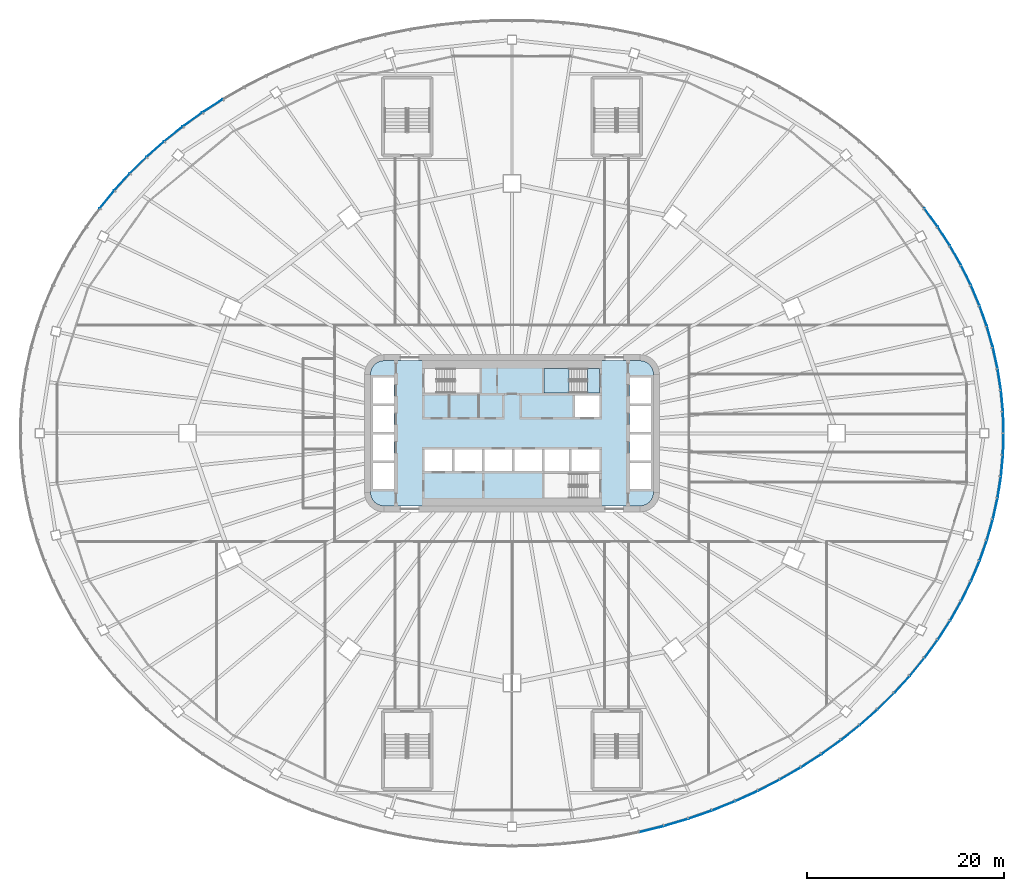
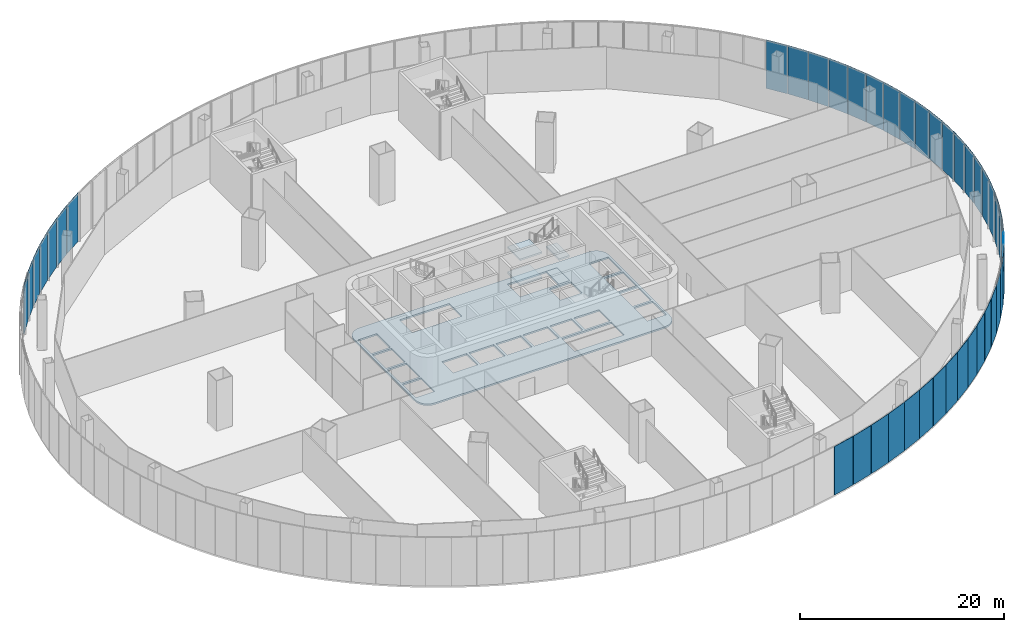
# One storey, part 18 of 37: 43 plates, 5 slabs, 11 elements without a shape of their own.
"""IFC4 building model written with IfcOpenShell, lengths in metres."""

from ifc_helpers import new_model, si_unit, direction, frame, origin, place, context, subcontext, project, spatial, polyline, outline, extrude, material, layer, layer_set, type_object, element, aggregate, save


model = new_model("IFC4")

# Units and contexts
model_context = context("Model", 3, precision=1e-05, world=origin(), true_north=direction((0.0, 1.0)))
body_context = subcontext(model_context, "Body", "Model", "MODEL_VIEW")
ifc_project = project(units=[si_unit("LENGTHUNIT", "METRE"), si_unit("AREAUNIT", "SQUARE_METRE"), si_unit("VOLUMEUNIT", "CUBIC_METRE"), si_unit("PLANEANGLEUNIT", "RADIAN"), si_unit("MASSUNIT", "GRAM", prefix="KILO")], contexts=[model_context])

# Site, building, storey
site_placement = place(None, origin())
site = spatial("IfcSite", under=ifc_project, at=site_placement, CompositionType="ELEMENT")
building_placement = place(site_placement, origin())
building = spatial("IfcBuilding", under=site, at=building_placement, Name="Sahrelin Media Tower", CompositionType="ELEMENT")
storey_placement = place(building_placement, frame((0.0, 0.0, 31.39990234375)))
storey = spatial("IfcBuildingStorey", under=building, at=storey_placement, Name="L04", CompositionType="ELEMENT", Elevation=31.39990234375)

# Slab
ifc_material_1 = material(Name="Concrete C40/50", Category="concrete")
ifc_layer_1 = layer(ifc_material_1, 0.199951171875)
ifc_layer_set_1 = layer_set([ifc_layer_1], Name="Core floor slab 200")
slab_type_1 = type_object("IfcSlabType", Name="Core floor slab 200", PredefinedType="FLOOR", material=ifc_layer_set_1)
placement = place(storey_placement, frame((0.0, 0.0, -0.199951171875)))
element("IfcSlab", 1, at=placement, inside=storey, type_object=slab_type_1, Name="Core floor", PredefinedType="FLOOR", context=body_context, shape_type="SweptSolid", body=[
    extrude(outline(polyline([(-13.986328125, 6.986328125), (-14.2080078125, 6.697509765625), (-14.347412109375, 6.361083984375), (-14.39990234375, 5.960693359375), (-14.39990234375, -5.960693359375), (-14.347412109375, -6.361083984375), (-14.2080078125, -6.697509765625), (-13.986328125, -6.986328125), (-13.697509765625, -7.2080078125), (-13.361083984375, -7.347412109375), (-12.960693359375, -7.39990234375), (12.960693359375, -7.39990234375), (13.361083984375, -7.347412109375), (13.697509765625, -7.2080078125), (13.986328125, -6.986328125), (14.2080078125, -6.697509765625), (14.347412109375, -6.361083984375), (14.39990234375, -5.960693359375), (14.39990234375, 5.960693359375), (14.347412109375, 6.361083984375), (14.2080078125, 6.697509765625), (13.986328125, 6.986328125), (13.697509765625, 7.2080078125), (13.361083984375, 7.347412109375), (12.960693359375, 7.39990234375), (-12.960693359375, 7.39990234375), (-13.361083984375, 7.347412109375), (-13.697509765625, 7.2080078125), (-13.986328125, 6.986328125)]), holes=[polyline([(-14.14990234375, 5.675048828125), (-14.14990234375, 3.02490234375), (-12.0, 3.02490234375), (-12.0, 5.675048828125), (-14.14990234375, 5.675048828125)]), polyline([(-12.0, 2.77490234375), (-14.14990234375, 2.77490234375), (-14.14990234375, 0.125), (-12.0, 0.125), (-12.0, 2.77490234375)]), polyline([(-12.0, -2.77490234375), (-12.0, -0.125), (-14.14990234375, -0.125), (-14.14990234375, -2.77490234375), (-12.0, -2.77490234375)]), polyline([(-14.14990234375, -5.675048828125), (-12.0, -5.675048828125), (-12.0, -3.02490234375), (-14.14990234375, -3.02490234375), (-14.14990234375, -5.675048828125)]), polyline([(12.0, 5.675048828125), (12.0, 3.02490234375), (14.14990234375, 3.02490234375), (14.14990234375, 5.675048828125), (12.0, 5.675048828125)]), polyline([(14.14990234375, 2.77490234375), (12.0, 2.77490234375), (12.0, 0.125), (14.14990234375, 0.125), (14.14990234375, 2.77490234375)]), polyline([(14.14990234375, -2.77490234375), (14.14990234375, -0.125), (12.0, -0.125), (12.0, -2.77490234375), (14.14990234375, -2.77490234375)]), polyline([(12.0, -5.675048828125), (14.14990234375, -5.675048828125), (14.14990234375, -3.02490234375), (12.0, -3.02490234375), (12.0, -5.675048828125)]), polyline([(6.425048828125, 3.85009765625), (6.425048828125, 1.64990234375), (8.875, 1.64990234375), (8.875, 3.85009765625), (6.425048828125, 3.85009765625)]), polyline([(-6.074951171875, -1.64990234375), (-8.875, -1.64990234375), (-8.875, -3.85009765625), (-6.074951171875, -3.85009765625), (-6.074951171875, -1.64990234375)]), polyline([(-3.02490234375, -3.85009765625), (-3.02490234375, -1.64990234375), (-5.824951171875, -1.64990234375), (-5.824951171875, -3.85009765625), (-3.02490234375, -3.85009765625)]), polyline([(-2.77490234375, -3.85009765625), (0.02490234375, -3.85009765625), (0.02490234375, -1.64990234375), (-2.77490234375, -1.64990234375), (-2.77490234375, -3.85009765625)]), polyline([(0.27490234375, -1.64990234375), (0.27490234375, -3.85009765625), (3.074951171875, -3.85009765625), (3.074951171875, -1.64990234375), (0.27490234375, -1.64990234375)]), polyline([(5.77490234375, -1.64990234375), (3.324951171875, -1.64990234375), (3.324951171875, -3.85009765625), (5.77490234375, -3.85009765625), (5.77490234375, -1.64990234375)]), polyline([(8.875, -3.85009765625), (8.875, -1.64990234375), (6.02490234375, -1.64990234375), (6.02490234375, -3.85009765625), (8.875, -3.85009765625)]), polyline([(-8.875, 6.60009765625), (-8.875, 4.10009765625), (-3.27490234375, 4.10009765625), (-3.27490234375, 6.60009765625), (-8.875, 6.60009765625)]), polyline([(3.27490234375, 4.10009765625), (8.875, 4.10009765625), (8.875, 6.60009765625), (3.27490234375, 6.60009765625), (3.27490234375, 4.10009765625)]), polyline([(3.27490234375, -4.10009765625), (3.27490234375, -6.60009765625), (8.875, -6.60009765625), (8.875, -4.10009765625), (3.27490234375, -4.10009765625)])]), origin(), (0.0, 0.0, 1.0), 0.199951171875),
])

# Curtain wall, plates
ifc_material_2 = material(Name="Champagne anodised aluminium 6063-T6", Category="aluminium")
ifc_layer_2 = layer(ifc_material_2, 0.14990234375)
ifc_layer_set_2 = layer_set([ifc_layer_2], Name="Podium ribbon curtain wall")
curtain_wall_type = type_object("IfcCurtainWallType", Name="Podium ribbon curtain wall", PredefinedType="NOTDEFINED", material=ifc_layer_set_2)
curtain_wall_1_placement = place(storey_placement, frame((50.0, 0.0, 0.0), z_axis=(0.0, 0.0, 1.0), x_axis=(1.0, 0.0, 0.0)))
curtain_wall_1 = element("IfcCurtainWall", 2, at=curtain_wall_1_placement, inside=storey, type_object=curtain_wall_type, Name="L04:CW:L04-P00", PredefinedType="NOTDEFINED")
ifc_material_3 = material(Name="Clear low-iron glazing", Category="glass")
ifc_layer_3 = layer(ifc_material_3, 0.050048828125)
ifc_layer_set_3 = layer_set([ifc_layer_3], Name="Glazing panel 50 mm CW5")
plate_type = type_object("IfcPlateType", Name="Glazing panel 50 mm CW5", PredefinedType="CURTAIN_PANEL", material=ifc_layer_set_3)
plate_1_placement = place(storey_placement, frame((50.018310546875, 0.050537109375, 0.0), z_axis=(0.999515505573, 0.031124815153, 0.0), x_axis=(-0.031124815153, 0.999515505573, 0.0)))
plate_1 = element("IfcPlate", 3, at=plate_1_placement, type_object=plate_type, Name="L04:CWP1a:L04-P00", PredefinedType="CURTAIN_PANEL", context=body_context, shape_type="SweptSolid", body=[
    extrude(outline(polyline([(0.0, 0.0), (2.149169921875, 0.0), (2.149169921875, 5.800048828125), (0.0, 5.800048828125), (0.0, 0.0)])), origin(), (0.0, 0.0, -1.0), 0.050048828125),
])
plate_2_placement = place(storey_placement, frame((49.94677734375, 2.249755859375, 0.0), z_axis=(0.995641143161, 0.093266896829, 0.0), x_axis=(-0.093266896829, 0.995641143161, 0.0)))
plate_2 = element("IfcPlate", 4, at=plate_2_placement, type_object=plate_type, Name="L04:CWP2a:L04-P00", PredefinedType="CURTAIN_PANEL", context=body_context, shape_type="SweptSolid", body=[
    extrude(outline(polyline([(0.0, 0.0), (2.151611328125, 0.0), (2.151611328125, 5.800048828125), (0.0, 5.800048828125), (0.0, 0.0)])), origin(), (0.0, 0.0, -1.0), 0.050048828125),
])
plate_3_placement = place(storey_placement, frame((49.738037109375, 4.442626953125, 0.0), z_axis=(0.987953146465, 0.154753288784, 0.0), x_axis=(-0.154753288784, 0.987953146465, 0.0)))
plate_3 = element("IfcPlate", 5, at=plate_3_placement, type_object=plate_type, Name="L04:CWP3a:L04-P00", PredefinedType="CURTAIN_PANEL", context=body_context, shape_type="SweptSolid", body=[
    extrude(outline(polyline([(0.0, 0.0), (2.156494140625, 0.0), (2.156494140625, 5.800048828125), (0.0, 5.800048828125), (0.0, 0.0)])), origin(), (0.0, 0.0, -1.0), 0.050048828125),
])
plate_4_placement = place(storey_placement, frame((49.393310546875, 6.623291015625, 0.0), z_axis=(0.976509812281, 0.21547293686, 0.0), x_axis=(-0.21547293686, 0.976509812281, 0.0)))
plate_4 = element("IfcPlate", 6, at=plate_4_placement, type_object=plate_type, Name="L04:CWP4a:L04-P00", PredefinedType="CURTAIN_PANEL", context=body_context, shape_type="SweptSolid", body=[
    extrude(outline(polyline([(0.0, 0.0), (2.1640625, 0.0), (2.1640625, 5.800048828125), (0.0, 5.800048828125), (0.0, 0.0)])), origin(), (0.0, 0.0, -1.0), 0.050048828125),
])
plate_5_placement = place(storey_placement, frame((48.912841796875, 8.785888671875, 0.0), z_axis=(0.961494274984, 0.274824960972, 0.0), x_axis=(-0.274824960972, 0.961494274984, 0.0)))
plate_5 = element("IfcPlate", 7, at=plate_5_placement, type_object=plate_type, Name="L04:CWP5a:L04-P00", PredefinedType="CURTAIN_PANEL", context=body_context, shape_type="SweptSolid", body=[
    extrude(outline(polyline([(0.0, 0.0), (2.173828125, 0.0), (2.173828125, 5.800048828125), (0.0, 5.800048828125), (0.0, 0.0)])), origin(), (0.0, 0.0, -1.0), 0.050048828125),
])
aggregate(curtain_wall_1, [plate_1, plate_2, plate_3, plate_4, plate_5])

curtain_wall_2_placement = place(storey_placement, frame((48.29638671875, 10.870361328125, 0.0), z_axis=(0.0, 0.0, 1.0), x_axis=(1.0, 0.0, 0.0)))
curtain_wall_2 = element("IfcCurtainWall", 8, at=curtain_wall_2_placement, inside=storey, type_object=curtain_wall_type, Name="L04:CW:L04-P01", PredefinedType="NOTDEFINED")
plate_6_placement = place(storey_placement, frame((48.298583984375, 10.92431640625, 0.0), z_axis=(0.943078982839, 0.332568838179, 0.0), x_axis=(-0.332568838179, 0.943078982839, 0.0)))
plate_6 = element("IfcPlate", 9, at=plate_6_placement, type_object=plate_type, Name="L04:CWP1a:L04-P01", PredefinedType="CURTAIN_PANEL", context=body_context, shape_type="SweptSolid", body=[
    extrude(outline(polyline([(0.0, 0.0), (2.185546875, 0.0), (2.185546875, 5.800048828125), (0.0, 5.800048828125), (0.0, 0.0)])), origin(), (0.0, 0.0, -1.0), 0.050048828125),
])
plate_7_placement = place(storey_placement, frame((47.5517578125, 13.032470703125, 0.0), z_axis=(0.921499510247, 0.388379521363, 0.0), x_axis=(-0.388379521363, 0.921499510247, 0.0)))
plate_7 = element("IfcPlate", 10, at=plate_7_placement, type_object=plate_type, Name="L04:CWP2a:L04-P01", PredefinedType="CURTAIN_PANEL", context=body_context, shape_type="SweptSolid", body=[
    extrude(outline(polyline([(0.0, 0.0), (2.199462890625, 0.0), (2.199462890625, 5.800048828125), (0.0, 5.800048828125), (0.0, 0.0)])), origin(), (0.0, 0.0, -1.0), 0.050048828125),
])
plate_8_placement = place(storey_placement, frame((46.6748046875, 15.105224609375, 0.0), z_axis=(0.896904409808, 0.442224467513, 0.0), x_axis=(-0.442224467513, 0.896904409808, 0.0)))
plate_8 = element("IfcPlate", 11, at=plate_8_placement, type_object=plate_type, Name="L04:CWP3a:L04-P01", PredefinedType="CURTAIN_PANEL", context=body_context, shape_type="SweptSolid", body=[
    extrude(outline(polyline([(0.0, 0.0), (2.21484375, 0.0), (2.21484375, 5.800048828125), (0.0, 5.800048828125), (0.0, 0.0)])), origin(), (0.0, 0.0, -1.0), 0.050048828125),
])
plate_9_placement = place(storey_placement, frame((45.669921875, 17.13623046875, 0.0), z_axis=(0.869579307172, 0.493793305481, 0.0), x_axis=(-0.493793305481, 0.869579307172, 0.0)))
plate_9 = element("IfcPlate", 12, at=plate_9_placement, type_object=plate_type, Name="L04:CWP4a:L04-P01", PredefinedType="CURTAIN_PANEL", context=body_context, shape_type="SweptSolid", body=[
    extrude(outline(polyline([(0.0, 0.0), (2.232421875, 0.0), (2.232421875, 5.800048828125), (0.0, 5.800048828125), (0.0, 0.0)])), origin(), (0.0, 0.0, -1.0), 0.050048828125),
])
plate_10_placement = place(storey_placement, frame((44.5400390625, 19.120361328125, 0.0), z_axis=(0.839858100208, 0.542806016469, 0.0), x_axis=(-0.542806016469, 0.839858100208, 0.0)))
plate_10 = element("IfcPlate", 13, at=plate_10_placement, type_object=plate_type, Name="L04:CWP5a:L04-P01", PredefinedType="CURTAIN_PANEL", context=body_context, shape_type="SweptSolid", body=[
    extrude(outline(polyline([(0.0, 0.0), (2.251220703125, 0.0), (2.251220703125, 5.800048828125), (0.0, 5.800048828125), (0.0, 0.0)])), origin(), (0.0, 0.0, -1.0), 0.050048828125),
])
aggregate(curtain_wall_2, [plate_6, plate_7, plate_8, plate_9, plate_10])

# Curtain wall, plate
curtain_wall_3_placement = place(storey_placement, frame((43.30126953125, 21.0, 0.0), z_axis=(0.0, 0.0, 1.0), x_axis=(1.0, 0.0, 0.0)))
curtain_wall_3 = element("IfcCurtainWall", 14, at=curtain_wall_3_placement, inside=storey, type_object=curtain_wall_type, Name="L04:CW:L04-P02", PredefinedType="NOTDEFINED")
plate_11_placement = place(storey_placement, frame((43.2880859375, 21.05224609375, 0.0), z_axis=(0.807851823107, 0.589385639376, 0.0), x_axis=(-0.589385639376, 0.807851823107, 0.0)))
plate_11 = element("IfcPlate", 15, at=plate_11_placement, type_object=plate_type, Name="L04:CWP1a:L04-P02", PredefinedType="CURTAIN_PANEL", context=body_context, shape_type="SweptSolid", body=[
    extrude(outline(polyline([(0.0, 0.0), (2.270751953125, 0.0), (2.270751953125, 5.800048828125), (0.0, 5.800048828125), (0.0, 0.0)])), origin(), (0.0, 0.0, -1.0), 0.050048828125),
])
aggregate(curtain_wall_3, [plate_11])

# Curtain wall, plates
curtain_wall_4_placement = place(storey_placement, frame((-25.0, 36.373046875, 0.0), z_axis=(0.0, 0.0, 1.0), x_axis=(1.0, 0.0, 0.0)))
curtain_wall_4 = element("IfcCurtainWall", 16, at=curtain_wall_4_placement, inside=storey, type_object=curtain_wall_type, Name="L04:CW:L04-P08", PredefinedType="NOTDEFINED")
plate_12_placement = place(storey_placement, frame((-29.442138671875, 33.968505859375, 0.0), z_axis=(-0.541786842033, 0.840515923585, 0.0), x_axis=(-0.840515923585, -0.541786842033, 0.0)))
plate_12 = element("IfcPlate", 17, at=plate_12_placement, type_object=plate_type, Name="L04:CWP3a:L04-P08", PredefinedType="CURTAIN_PANEL", context=body_context, shape_type="SweptSolid", body=[
    extrude(outline(polyline([(0.0, 0.0), (2.420654296875, 0.0), (2.420654296875, 5.800048828125), (0.0, 5.800048828125), (0.0, 0.0)])), origin(), (0.0, 0.0, -1.0), 0.050048828125),
])
plate_13_placement = place(storey_placement, frame((-31.518310546875, 32.627197265625, 0.0), z_axis=(-0.582853846975, 0.812577007469, 0.0), x_axis=(-0.812577007469, -0.582853846975, 0.0)))
plate_13 = element("IfcPlate", 18, at=plate_13_placement, type_object=plate_type, Name="L04:CWP4a:L04-P08", PredefinedType="CURTAIN_PANEL", context=body_context, shape_type="SweptSolid", body=[
    extrude(outline(polyline([(0.0, 0.0), (2.399658203125, 0.0), (2.399658203125, 5.800048828125), (0.0, 5.800048828125), (0.0, 0.0)])), origin(), (0.0, 0.0, -1.0), 0.050048828125),
])
plate_14_placement = place(storey_placement, frame((-33.508056640625, 31.196533203125, 0.0), z_axis=(-0.623291989144, 0.781989191913, 0.0), x_axis=(-0.781989191913, -0.623291989144, 0.0)))
plate_14 = element("IfcPlate", 19, at=plate_14_placement, type_object=plate_type, Name="L04:CWP5a:L04-P08", PredefinedType="CURTAIN_PANEL", context=body_context, shape_type="SweptSolid", body=[
    extrude(outline(polyline([(0.0, 0.0), (2.37841796875, 0.0), (2.37841796875, 5.800048828125), (0.0, 5.800048828125), (0.0, 0.0)])), origin(), (0.0, 0.0, -1.0), 0.050048828125),
])
aggregate(curtain_wall_4, [plate_12, plate_13, plate_14])

curtain_wall_5_placement = place(storey_placement, frame((-35.355224609375, 29.698486328125, 0.0), z_axis=(0.0, 0.0, 1.0), x_axis=(1.0, 0.0, 0.0)))
curtain_wall_5 = element("IfcCurtainWall", 20, at=curtain_wall_5_placement, inside=storey, type_object=curtain_wall_type, Name="L04:CW:L04-P09", PredefinedType="NOTDEFINED")
plate_15_placement = place(storey_placement, frame((-35.406005859375, 29.680419921875, 0.0), z_axis=(-0.662857735078, 0.74874536596, 0.0), x_axis=(-0.74874536596, -0.662857735078, 0.0)))
plate_15 = element("IfcPlate", 21, at=plate_15_placement, type_object=plate_type, Name="L04:CWP1a:L04-P09", PredefinedType="CURTAIN_PANEL", context=body_context, shape_type="SweptSolid", body=[
    extrude(outline(polyline([(0.0, 0.0), (2.3564453125, 0.0), (2.3564453125, 5.800048828125), (0.0, 5.800048828125), (0.0, 0.0)])), origin(), (0.0, 0.0, -1.0), 0.050048828125),
])
plate_16_placement = place(storey_placement, frame((-37.206787109375, 28.082763671875, 0.0), z_axis=(-0.701173622887, 0.712990568358, 0.0), x_axis=(-0.712990568358, -0.701173622887, 0.0)))
plate_16 = element("IfcPlate", 22, at=plate_16_placement, type_object=plate_type, Name="L04:CWP2a:L04-P09", PredefinedType="CURTAIN_PANEL", context=body_context, shape_type="SweptSolid", body=[
    extrude(outline(polyline([(0.0, 0.0), (2.334716796875, 0.0), (2.334716796875, 5.800048828125), (0.0, 5.800048828125), (0.0, 0.0)])), origin(), (0.0, 0.0, -1.0), 0.050048828125),
])
plate_17_placement = place(storey_placement, frame((-38.90576171875, 26.408203125, 0.0), z_axis=(-0.738366649953, 0.674399503438, 0.0), x_axis=(-0.674399503438, -0.738366649953, 0.0)))
plate_17 = element("IfcPlate", 23, at=plate_17_placement, type_object=plate_type, Name="L04:CWP3a:L04-P09", PredefinedType="CURTAIN_PANEL", context=body_context, shape_type="SweptSolid", body=[
    extrude(outline(polyline([(0.0, 0.0), (2.31298828125, 0.0), (2.31298828125, 5.800048828125), (0.0, 5.800048828125), (0.0, 0.0)])), origin(), (0.0, 0.0, -1.0), 0.050048828125),
])
plate_18_placement = place(storey_placement, frame((-40.497802734375, 24.660888671875, 0.0), z_axis=(-0.773919322532, 0.633284203349, 0.0), x_axis=(-0.633284203349, -0.773919322532, 0.0)))
plate_18 = element("IfcPlate", 24, at=plate_18_placement, type_object=plate_type, Name="L04:CWP4a:L04-P09", PredefinedType="CURTAIN_PANEL", context=body_context, shape_type="SweptSolid", body=[
    extrude(outline(polyline([(0.0, 0.0), (2.29150390625, 0.0), (2.29150390625, 5.800048828125), (0.0, 5.800048828125), (0.0, 0.0)])), origin(), (0.0, 0.0, -1.0), 0.050048828125),
])
aggregate(curtain_wall_5, [plate_15, plate_16, plate_17, plate_18])

curtain_wall_6_placement = place(storey_placement, frame((12.94091796875, -40.56884765625, 0.0), z_axis=(0.0, 0.0, 1.0), x_axis=(1.0, 0.0, 0.0)))
curtain_wall_6 = element("IfcCurtainWall", 25, at=curtain_wall_6_placement, inside=storey, type_object=curtain_wall_type, Name="L04:CW:L04-P19", PredefinedType="NOTDEFINED")
plate_19_placement = place(storey_placement, frame((12.994384765625, -40.576171875, 0.0), z_axis=(0.241425619685, -0.970419326971, 0.0), x_axis=(0.970419326971, 0.241425619685, 0.0)))
plate_19 = element("IfcPlate", 26, at=plate_19_placement, type_object=plate_type, Name="L04:CWP1a:L04-P19", PredefinedType="CURTAIN_PANEL", context=body_context, shape_type="SweptSolid", body=[
    extrude(outline(polyline([(0.0, 0.0), (2.5361328125, 0.0), (2.5361328125, 5.800048828125), (0.0, 5.800048828125), (0.0, 0.0)])), origin(), (0.0, 0.0, -1.0), 0.050048828125),
])
plate_20_placement = place(storey_placement, frame((15.50439453125, -39.94921875, 0.0), z_axis=(0.285102349758, -0.958497078849, 0.0), x_axis=(0.958497078849, 0.285102349758, 0.0)))
plate_20 = element("IfcPlate", 27, at=plate_20_placement, type_object=plate_type, Name="L04:CWP2a:L04-P19", PredefinedType="CURTAIN_PANEL", context=body_context, shape_type="SweptSolid", body=[
    extrude(outline(polyline([(0.0, 0.0), (2.5244140625, 0.0), (2.5244140625, 5.800048828125), (0.0, 5.800048828125), (0.0, 0.0)])), origin(), (0.0, 0.0, -1.0), 0.050048828125),
])
plate_21_placement = place(storey_placement, frame((17.97216796875, -39.212890625, 0.0), z_axis=(0.328656390674, -0.944449562904, 0.0), x_axis=(0.944449562904, 0.328656390674, 0.0)))
plate_21 = element("IfcPlate", 28, at=plate_21_placement, type_object=plate_type, Name="L04:CWP3a:L04-P19", PredefinedType="CURTAIN_PANEL", context=body_context, shape_type="SweptSolid", body=[
    extrude(outline(polyline([(0.0, 0.0), (2.5107421875, 0.0), (2.5107421875, 5.800048828125), (0.0, 5.800048828125), (0.0, 0.0)])), origin(), (0.0, 0.0, -1.0), 0.050048828125),
])
plate_22_placement = place(storey_placement, frame((20.390625, -38.368896484375, 0.0), z_axis=(0.371913588766, -0.928267355071, 0.0), x_axis=(0.928267355071, 0.371913588766, 0.0)))
plate_22 = element("IfcPlate", 29, at=plate_22_placement, type_object=plate_type, Name="L04:CWP4a:L04-P19", PredefinedType="CURTAIN_PANEL", context=body_context, shape_type="SweptSolid", body=[
    extrude(outline(polyline([(0.0, 0.0), (2.4951171875, 0.0), (2.4951171875, 5.800048828125), (0.0, 5.800048828125), (0.0, 0.0)])), origin(), (0.0, 0.0, -1.0), 0.050048828125),
])
plate_23_placement = place(storey_placement, frame((22.75341796875, -37.419677734375, 0.0), z_axis=(0.414930786604, -0.909852978413, 0.0), x_axis=(0.909852978413, 0.414930786604, 0.0)))
plate_23 = element("IfcPlate", 30, at=plate_23_placement, type_object=plate_type, Name="L04:CWP5a:L04-P19", PredefinedType="CURTAIN_PANEL", context=body_context, shape_type="SweptSolid", body=[
    extrude(outline(polyline([(0.0, 0.0), (2.478271484375, 0.0), (2.478271484375, 5.800048828125), (0.0, 5.800048828125), (0.0, 0.0)])), origin(), (0.0, 0.0, -1.0), 0.050048828125),
])
aggregate(curtain_wall_6, [plate_19, plate_20, plate_21, plate_22, plate_23])

curtain_wall_7_placement = place(storey_placement, frame((25.0, -36.373046875, 0.0), z_axis=(0.0, 0.0, 1.0), x_axis=(1.0, 0.0, 0.0)))
curtain_wall_7 = element("IfcCurtainWall", 31, at=curtain_wall_7_placement, inside=storey, type_object=curtain_wall_type, Name="L04:CW:L04-P20", PredefinedType="NOTDEFINED")
plate_24_placement = place(storey_placement, frame((25.0537109375, -36.367919921875, 0.0), z_axis=(0.457661890487, -0.88912630936, 0.0), x_axis=(0.88912630936, 0.457661890487, 0.0)))
plate_24 = element("IfcPlate", 32, at=plate_24_placement, type_object=plate_type, Name="L04:CWP1a:L04-P20", PredefinedType="CURTAIN_PANEL", context=body_context, shape_type="SweptSolid", body=[
    extrude(outline(polyline([(0.0, 0.0), (2.460205078125, 0.0), (2.460205078125, 5.800048828125), (0.0, 5.800048828125), (0.0, 0.0)])), origin(), (0.0, 0.0, -1.0), 0.050048828125),
])
plate_25_placement = place(storey_placement, frame((27.285400390625, -35.216552734375, 0.0), z_axis=(0.499979298005, -0.866037355757, 0.0), x_axis=(0.866037355757, 0.499979298005, 0.0)))
plate_25 = element("IfcPlate", 33, at=plate_25_placement, type_object=plate_type, Name="L04:CWP2a:L04-P20", PredefinedType="CURTAIN_PANEL", context=body_context, shape_type="SweptSolid", body=[
    extrude(outline(polyline([(0.0, 0.0), (2.44091796875, 0.0), (2.44091796875, 5.800048828125), (0.0, 5.800048828125), (0.0, 0.0)])), origin(), (0.0, 0.0, -1.0), 0.050048828125),
])
plate_26_placement = place(storey_placement, frame((29.442138671875, -33.968505859375, 0.0), z_axis=(0.541786842033, -0.840515923585, 0.0), x_axis=(0.840515923585, 0.541786842033, 0.0)))
plate_26 = element("IfcPlate", 34, at=plate_26_placement, type_object=plate_type, Name="L04:CWP3a:L04-P20", PredefinedType="CURTAIN_PANEL", context=body_context, shape_type="SweptSolid", body=[
    extrude(outline(polyline([(0.0, 0.0), (2.420654296875, 0.0), (2.420654296875, 5.800048828125), (0.0, 5.800048828125), (0.0, 0.0)])), origin(), (0.0, 0.0, -1.0), 0.050048828125),
])
plate_27_placement = place(storey_placement, frame((31.518310546875, -32.627197265625, 0.0), z_axis=(0.582853846975, -0.812577007469, 0.0), x_axis=(0.812577007469, 0.582853846975, 0.0)))
plate_27 = element("IfcPlate", 35, at=plate_27_placement, type_object=plate_type, Name="L04:CWP4a:L04-P20", PredefinedType="CURTAIN_PANEL", context=body_context, shape_type="SweptSolid", body=[
    extrude(outline(polyline([(0.0, 0.0), (2.399658203125, 0.0), (2.399658203125, 5.800048828125), (0.0, 5.800048828125), (0.0, 0.0)])), origin(), (0.0, 0.0, -1.0), 0.050048828125),
])
plate_28_placement = place(storey_placement, frame((33.508056640625, -31.196533203125, 0.0), z_axis=(0.623291989144, -0.781989191913, 0.0), x_axis=(0.781989191913, 0.623291989144, 0.0)))
plate_28 = element("IfcPlate", 36, at=plate_28_placement, type_object=plate_type, Name="L04:CWP5a:L04-P20", PredefinedType="CURTAIN_PANEL", context=body_context, shape_type="SweptSolid", body=[
    extrude(outline(polyline([(0.0, 0.0), (2.37841796875, 0.0), (2.37841796875, 5.800048828125), (0.0, 5.800048828125), (0.0, 0.0)])), origin(), (0.0, 0.0, -1.0), 0.050048828125),
])
aggregate(curtain_wall_7, [plate_24, plate_25, plate_26, plate_27, plate_28])

curtain_wall_8_placement = place(storey_placement, frame((35.355224609375, -29.698486328125, 0.0), z_axis=(0.0, 0.0, 1.0), x_axis=(1.0, 0.0, 0.0)))
curtain_wall_8 = element("IfcCurtainWall", 37, at=curtain_wall_8_placement, inside=storey, type_object=curtain_wall_type, Name="L04:CW:L04-P21", PredefinedType="NOTDEFINED")
plate_29_placement = place(storey_placement, frame((35.406005859375, -29.680419921875, 0.0), z_axis=(0.662857735078, -0.74874536596, 0.0), x_axis=(0.74874536596, 0.662857735078, 0.0)))
plate_29 = element("IfcPlate", 38, at=plate_29_placement, type_object=plate_type, Name="L04:CWP1a:L04-P21", PredefinedType="CURTAIN_PANEL", context=body_context, shape_type="SweptSolid", body=[
    extrude(outline(polyline([(0.0, 0.0), (2.3564453125, 0.0), (2.3564453125, 5.800048828125), (0.0, 5.800048828125), (0.0, 0.0)])), origin(), (0.0, 0.0, -1.0), 0.050048828125),
])
plate_30_placement = place(storey_placement, frame((37.206787109375, -28.082763671875, 0.0), z_axis=(0.701173622887, -0.712990568358, 0.0), x_axis=(0.712990568358, 0.701173622887, 0.0)))
plate_30 = element("IfcPlate", 39, at=plate_30_placement, type_object=plate_type, Name="L04:CWP2a:L04-P21", PredefinedType="CURTAIN_PANEL", context=body_context, shape_type="SweptSolid", body=[
    extrude(outline(polyline([(0.0, 0.0), (2.334716796875, 0.0), (2.334716796875, 5.800048828125), (0.0, 5.800048828125), (0.0, 0.0)])), origin(), (0.0, 0.0, -1.0), 0.050048828125),
])
plate_31_placement = place(storey_placement, frame((38.90576171875, -26.408203125, 0.0), z_axis=(0.738366649953, -0.674399503438, 0.0), x_axis=(0.674399503438, 0.738366649953, 0.0)))
plate_31 = element("IfcPlate", 40, at=plate_31_placement, type_object=plate_type, Name="L04:CWP3a:L04-P21", PredefinedType="CURTAIN_PANEL", context=body_context, shape_type="SweptSolid", body=[
    extrude(outline(polyline([(0.0, 0.0), (2.31298828125, 0.0), (2.31298828125, 5.800048828125), (0.0, 5.800048828125), (0.0, 0.0)])), origin(), (0.0, 0.0, -1.0), 0.050048828125),
])
plate_32_placement = place(storey_placement, frame((40.497802734375, -24.660888671875, 0.0), z_axis=(0.773919322532, -0.633284203349, 0.0), x_axis=(0.633284203349, 0.773919322532, 0.0)))
plate_32 = element("IfcPlate", 41, at=plate_32_placement, type_object=plate_type, Name="L04:CWP4a:L04-P21", PredefinedType="CURTAIN_PANEL", context=body_context, shape_type="SweptSolid", body=[
    extrude(outline(polyline([(0.0, 0.0), (2.29150390625, 0.0), (2.29150390625, 5.800048828125), (0.0, 5.800048828125), (0.0, 0.0)])), origin(), (0.0, 0.0, -1.0), 0.050048828125),
])
plate_33_placement = place(storey_placement, frame((41.97900390625, -22.84619140625, 0.0), z_axis=(0.807851823107, -0.589385639376, 0.0), x_axis=(0.589385639376, 0.807851823107, 0.0)))
plate_33 = element("IfcPlate", 42, at=plate_33_placement, type_object=plate_type, Name="L04:CWP5a:L04-P21", PredefinedType="CURTAIN_PANEL", context=body_context, shape_type="SweptSolid", body=[
    extrude(outline(polyline([(0.0, 0.0), (2.270751953125, 0.0), (2.270751953125, 5.800048828125), (0.0, 5.800048828125), (0.0, 0.0)])), origin(), (0.0, 0.0, -1.0), 0.050048828125),
])
aggregate(curtain_wall_8, [plate_29, plate_30, plate_31, plate_32, plate_33])

curtain_wall_9_placement = place(storey_placement, frame((43.30126953125, -21.0, 0.0), z_axis=(0.0, 0.0, 1.0), x_axis=(1.0, 0.0, 0.0)))
curtain_wall_9 = element("IfcCurtainWall", 43, at=curtain_wall_9_placement, inside=storey, type_object=curtain_wall_type, Name="L04:CW:L04-P22", PredefinedType="NOTDEFINED")
plate_34_placement = place(storey_placement, frame((43.34521484375, -20.968994140625, 0.0), z_axis=(0.8398261415, -0.542855461476, 0.0), x_axis=(0.542855461476, 0.8398261415, 0.0)))
plate_34 = element("IfcPlate", 44, at=plate_34_placement, type_object=plate_type, Name="L04:CWP1a:L04-P22", PredefinedType="CURTAIN_PANEL", context=body_context, shape_type="SweptSolid", body=[
    extrude(outline(polyline([(0.0, 0.0), (2.2509765625, 0.0), (2.2509765625, 5.800048828125), (0.0, 5.800048828125), (0.0, 0.0)])), origin(), (0.0, 0.0, -1.0), 0.050048828125),
])
plate_35_placement = place(storey_placement, frame((44.59228515625, -19.033935546875, 0.0), z_axis=(0.869579307172, -0.493793305481, 0.0), x_axis=(0.493793305481, 0.869579307172, 0.0)))
plate_35 = element("IfcPlate", 45, at=plate_35_placement, type_object=plate_type, Name="L04:CWP2a:L04-P22", PredefinedType="CURTAIN_PANEL", context=body_context, shape_type="SweptSolid", body=[
    extrude(outline(polyline([(0.0, 0.0), (2.232421875, 0.0), (2.232421875, 5.800048828125), (0.0, 5.800048828125), (0.0, 0.0)])), origin(), (0.0, 0.0, -1.0), 0.050048828125),
])
plate_36_placement = place(storey_placement, frame((45.71728515625, -17.046875, 0.0), z_axis=(0.896860688501, -0.442313130509, 0.0), x_axis=(0.442313130509, 0.896860688501, 0.0)))
plate_36 = element("IfcPlate", 46, at=plate_36_placement, type_object=plate_type, Name="L04:CWP3a:L04-P22", PredefinedType="CURTAIN_PANEL", context=body_context, shape_type="SweptSolid", body=[
    extrude(outline(polyline([(0.0, 0.0), (2.215087890625, 0.0), (2.215087890625, 5.800048828125), (0.0, 5.800048828125), (0.0, 0.0)])), origin(), (0.0, 0.0, -1.0), 0.050048828125),
])
plate_37_placement = place(storey_placement, frame((46.716796875, -15.01318359375, 0.0), z_axis=(0.921443029492, -0.388513504785, 0.0), x_axis=(0.388513504785, 0.921443029492, 0.0)))
plate_37 = element("IfcPlate", 47, at=plate_37_placement, type_object=plate_type, Name="L04:CWP4a:L04-P22", PredefinedType="CURTAIN_PANEL", context=body_context, shape_type="SweptSolid", body=[
    extrude(outline(polyline([(0.0, 0.0), (2.199462890625, 0.0), (2.199462890625, 5.800048828125), (0.0, 5.800048828125), (0.0, 0.0)])), origin(), (0.0, 0.0, -1.0), 0.050048828125),
])
plate_38_placement = place(storey_placement, frame((47.58837890625, -12.938232421875, 0.0), z_axis=(0.943078982839, -0.332568838179, 0.0), x_axis=(0.332568838179, 0.943078982839, 0.0)))
plate_38 = element("IfcPlate", 48, at=plate_38_placement, type_object=plate_type, Name="L04:CWP5a:L04-P22", PredefinedType="CURTAIN_PANEL", context=body_context, shape_type="SweptSolid", body=[
    extrude(outline(polyline([(0.0, 0.0), (2.185546875, 0.0), (2.185546875, 5.800048828125), (0.0, 5.800048828125), (0.0, 0.0)])), origin(), (0.0, 0.0, -1.0), 0.050048828125),
])
aggregate(curtain_wall_9, [plate_34, plate_35, plate_36, plate_37, plate_38])

curtain_wall_10_placement = place(storey_placement, frame((48.29638671875, -10.870361328125, 0.0), z_axis=(0.0, 0.0, 1.0), x_axis=(1.0, 0.0, 0.0)))
curtain_wall_10 = element("IfcCurtainWall", 49, at=curtain_wall_10_placement, inside=storey, type_object=curtain_wall_type, Name="L04:CW:L04-P23", PredefinedType="NOTDEFINED")
plate_39_placement = place(storey_placement, frame((48.329345703125, -10.827880859375, 0.0), z_axis=(0.961523947641, -0.274721127897, 0.0), x_axis=(0.274721127897, 0.961523947641, 0.0)))
plate_39 = element("IfcPlate", 50, at=plate_39_placement, type_object=plate_type, Name="L04:CWP1a:L04-P23", PredefinedType="CURTAIN_PANEL", context=body_context, shape_type="SweptSolid", body=[
    extrude(outline(polyline([(0.0, 0.0), (2.173828125, 0.0), (2.173828125, 5.800048828125), (0.0, 5.800048828125), (0.0, 0.0)])), origin(), (0.0, 0.0, -1.0), 0.050048828125),
])
plate_40_placement = place(storey_placement, frame((48.937744140625, -8.687744140625, 0.0), z_axis=(0.976533544089, -0.215365357632, 0.0), x_axis=(0.215365357632, 0.976533544089, 0.0)))
plate_40 = element("IfcPlate", 51, at=plate_40_placement, type_object=plate_type, Name="L04:CWP2a:L04-P23", PredefinedType="CURTAIN_PANEL", context=body_context, shape_type="SweptSolid", body=[
    extrude(outline(polyline([(0.0, 0.0), (2.1640625, 0.0), (2.1640625, 5.800048828125), (0.0, 5.800048828125), (0.0, 0.0)])), origin(), (0.0, 0.0, -1.0), 0.050048828125),
])
plate_41_placement = place(storey_placement, frame((49.411865234375, -6.52392578125, 0.0), z_axis=(0.987935832561, -0.154863781247, 0.0), x_axis=(0.154863781247, 0.987935832561, 0.0)))
plate_41 = element("IfcPlate", 52, at=plate_41_placement, type_object=plate_type, Name="L04:CWP3a:L04-P23", PredefinedType="CURTAIN_PANEL", context=body_context, shape_type="SweptSolid", body=[
    extrude(outline(polyline([(0.0, 0.0), (2.15673828125, 0.0), (2.15673828125, 5.800048828125), (0.0, 5.800048828125), (0.0, 0.0)])), origin(), (0.0, 0.0, -1.0), 0.050048828125),
])
plate_42_placement = place(storey_placement, frame((49.750732421875, -4.34228515625, 0.0), z_axis=(0.995641143161, -0.093266896829, 0.0), x_axis=(0.093266896829, 0.995641143161, 0.0)))
plate_42 = element("IfcPlate", 53, at=plate_42_placement, type_object=plate_type, Name="L04:CWP4a:L04-P23", PredefinedType="CURTAIN_PANEL", context=body_context, shape_type="SweptSolid", body=[
    extrude(outline(polyline([(0.0, 0.0), (2.151611328125, 0.0), (2.151611328125, 5.800048828125), (0.0, 5.800048828125), (0.0, 0.0)])), origin(), (0.0, 0.0, -1.0), 0.050048828125),
])
plate_43_placement = place(storey_placement, frame((49.952880859375, -2.148681640625, 0.0), z_axis=(0.999511965258, -0.031238298721, 0.0), x_axis=(0.031238298721, 0.999511965258, 0.0)))
plate_43 = element("IfcPlate", 54, at=plate_43_placement, type_object=plate_type, Name="L04:CWP5a:L04-P23", PredefinedType="CURTAIN_PANEL", context=body_context, shape_type="SweptSolid", body=[
    extrude(outline(polyline([(0.0, 0.0), (2.149169921875, 0.0), (2.149169921875, 5.800048828125), (0.0, 5.800048828125), (0.0, 0.0)])), origin(), (0.0, 0.0, -1.0), 0.050048828125),
])
aggregate(curtain_wall_10, [plate_39, plate_40, plate_41, plate_42, plate_43])

# Stair, slabs
stair_type = type_object("IfcStairType", Name="Exit stair 1200", PredefinedType="HALF_TURN_STAIR", material=ifc_material_1)
stair_placement = place(storey_placement, origin())
stair = element("IfcStair", 55, at=stair_placement, inside=storey, type_object=stair_type, Name="L04 Exit stair ST3", PredefinedType="HALF_TURN_STAIR")
ifc_layer_4 = layer(ifc_material_1, 0.199951171875)
ifc_layer_set_4 = layer_set([ifc_layer_4], Name="Stair landing 200")
slab_type_2 = type_object("IfcSlabType", Name="Stair landing 200", PredefinedType="LANDING", material=ifc_layer_set_4)
slab_2_placement = place(storey_placement, frame((0.0, 0.0, 1.300048828125)))
slab_2 = element("IfcSlab", 56, at=slab_2_placement, type_object=slab_type_2, Name="ST3 landing 1", PredefinedType="LANDING", context=body_context, shape_type="SweptSolid", body=[
    extrude(outline(polyline([(5.77490234375, 6.60009765625), (3.27490234375, 6.60009765625), (3.27490234375, 4.10009765625), (5.77490234375, 4.10009765625), (5.77490234375, 6.60009765625)])), origin(), (0.0, 0.0, 1.0), 0.199951171875),
])
slab_3_placement = place(storey_placement, frame((0.0, 0.0, 2.800048828125)))
slab_3 = element("IfcSlab", 57, at=slab_3_placement, type_object=slab_type_2, Name="ST3 landing 2", PredefinedType="LANDING", context=body_context, shape_type="SweptSolid", body=[
    extrude(outline(polyline([(8.875, 6.60009765625), (7.675048828125, 6.60009765625), (7.675048828125, 4.10009765625), (8.875, 4.10009765625), (8.875, 6.60009765625)])), origin(), (0.0, 0.0, 1.0), 0.199951171875),
])
slab_4_placement = place(storey_placement, frame((0.0, 0.0, 4.300048828125)))
slab_4 = element("IfcSlab", 58, at=slab_4_placement, type_object=slab_type_2, Name="ST3 landing 3", PredefinedType="LANDING", context=body_context, shape_type="SweptSolid", body=[
    extrude(outline(polyline([(5.77490234375, 6.60009765625), (3.27490234375, 6.60009765625), (3.27490234375, 4.10009765625), (5.77490234375, 4.10009765625), (5.77490234375, 6.60009765625)])), origin(), (0.0, 0.0, 1.0), 0.199951171875),
])
slab_5 = element("IfcSlab", 59, at=placement, type_object=slab_type_2, Name="ST3 landing 4", PredefinedType="LANDING", context=body_context, shape_type="SweptSolid", body=[
    extrude(outline(polyline([(8.875, 6.60009765625), (7.675048828125, 6.60009765625), (7.675048828125, 4.10009765625), (8.875, 4.10009765625), (8.875, 6.60009765625)])), origin(), (0.0, 0.0, 1.0), 0.199951171875),
])
aggregate(stair, [slab_2, slab_3, slab_4, slab_5])

save(model, "model.ifc")
